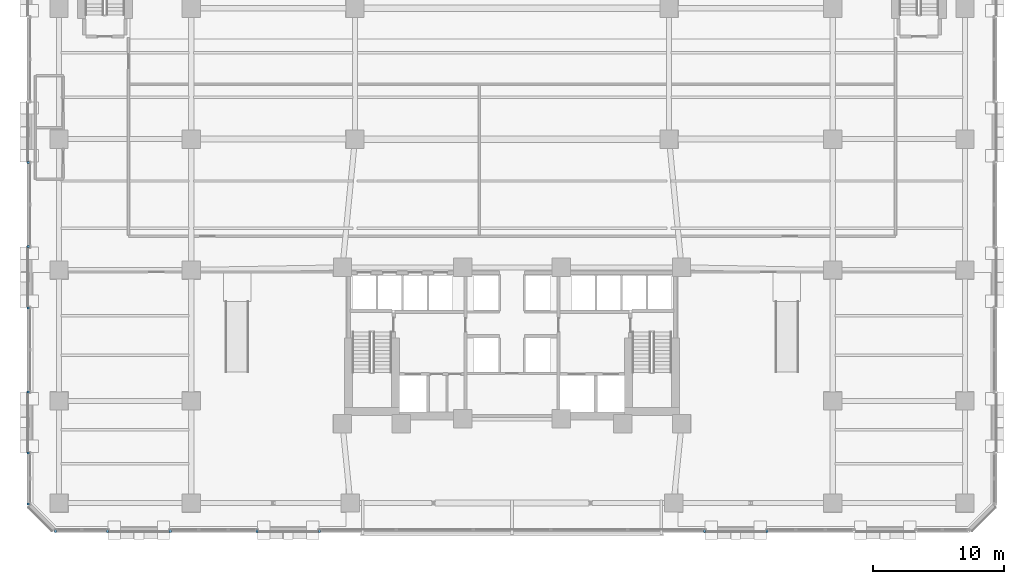
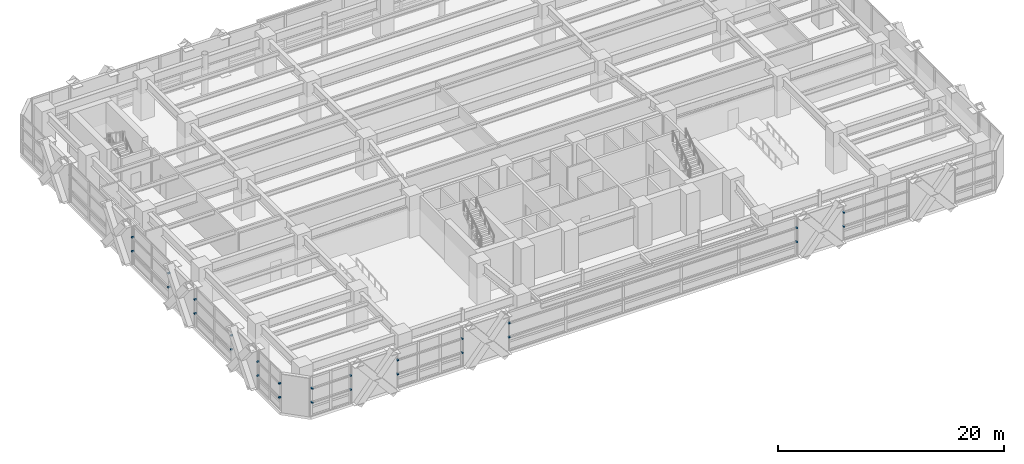
# One storey, part 20 of 30: 26 discrete accessories.
"""IFC4 building model written with IfcOpenShell, lengths in metres."""

from ifc_helpers import new_model, si_unit, direction, frame, origin, origin_2d, place, context, subcontext, project, spatial, rectangle, extrude, material, type_object, element, save


model = new_model("IFC4")

# Units and contexts
model_context = context("Model", 3, precision=1e-05, world=origin(), true_north=direction((0.0, 1.0)))
body_context = subcontext(model_context, "Body", "Model", "MODEL_VIEW")
ifc_project = project(units=[si_unit("LENGTHUNIT", "METRE"), si_unit("AREAUNIT", "SQUARE_METRE"), si_unit("VOLUMEUNIT", "CUBIC_METRE"), si_unit("PLANEANGLEUNIT", "RADIAN"), si_unit("MASSUNIT", "GRAM", prefix="KILO")], contexts=[model_context])

# Site, building, storey
site_placement = place(None, origin())
site = spatial("IfcSite", under=ifc_project, at=site_placement, CompositionType="ELEMENT")
building_placement = place(site_placement, origin())
building = spatial("IfcBuilding", under=site, at=building_placement, Name="Quenlor Broadcast Tower", CompositionType="ELEMENT")
storey_placement = place(building_placement, frame((0.0, 0.0, 9.5)))
storey = spatial("IfcBuildingStorey", under=building, at=storey_placement, Name="L02", CompositionType="ELEMENT", Elevation=9.5)

# Discrete accessories
ifc_material = material(Name="Aluminium 6063-T6", Category="aluminium")
discrete_accessory_type = type_object("IfcDiscreteAccessoryType", Name="Stainless Mullion Baguette Support Bracket", PredefinedType="BRACKET", material=ifc_material)
for number, where, z_axis, x_axis, name in (
    (1, (19.490478515625, -24.93994140625, 1.44189453125), (0.0, 0.0, 1.0), (-1.0, 0.0, 0.0), "L02 Baguette Mullion Bracket 1.2"),
    (2, (19.490478515625, -24.93994140625, 2.9541015625), (0.0, 0.0, 1.0), (-1.0, 0.0, 0.0), "L02 Baguette Mullion Bracket 2.2"),
    (3, (14.70947265625, -24.93994140625, 1.44189453125), (0.0, 0.0, 1.0), (-1.0, 0.0, 0.0), "L02 Baguette Mullion Bracket 1.1"),
    (4, (-14.70947265625, -24.93994140625, 1.44189453125), (0.0, 0.0, 1.0), (-1.0, 0.0, 0.0), "L02 Baguette Mullion Bracket 1.2"),
    (5, (14.70947265625, -24.93994140625, 2.9541015625), (0.0, 0.0, 1.0), (-1.0, 0.0, 0.0), "L02 Baguette Mullion Bracket 2.1"),
    (6, (-14.70947265625, -24.93994140625, 2.9541015625), (0.0, 0.0, 1.0), (-1.0, 0.0, 0.0), "L02 Baguette Mullion Bracket 2.2"),
    (7, (-19.490478515625, -24.93994140625, 1.44189453125), (0.0, 0.0, 1.0), (-1.0, 0.0, 0.0), "L02 Baguette Mullion Bracket 1.1"),
    (8, (-26.109619140625, -24.93994140625, 1.44189453125), (0.0, 0.0, 1.0), (-1.0, 0.0, 0.0), "L02 Baguette Mullion Bracket 1.2"),
    (9, (-19.490478515625, -24.93994140625, 2.9541015625), (0.0, 0.0, 1.0), (-1.0, 0.0, 0.0), "L02 Baguette Mullion Bracket 2.1"),
    (10, (-26.109619140625, -24.93994140625, 2.9541015625), (0.0, 0.0, 1.0), (-1.0, 0.0, 0.0), "L02 Baguette Mullion Bracket 2.2"),
    (11, (-30.890380859375, -24.93994140625, 1.44189453125), (0.0, 0.0, 1.0), (-1.0, 0.0, 0.0), "L02 Baguette Mullion Bracket 1.1"),
    (12, (-34.85888671875, -24.93994140625, 1.44189453125), (0.0, 0.0, 1.0), (-1.0, 0.0, 0.0), "L02 Baguette Mullion Bracket 1.2"),
    (13, (-30.890380859375, -24.93994140625, 2.9541015625), (0.0, 0.0, 1.0), (-1.0, 0.0, 0.0), "L02 Baguette Mullion Bracket 2.1"),
    (14, (-34.85888671875, -24.93994140625, 2.9541015625), (0.0, 0.0, 1.0), (-1.0, 0.0, 0.0), "L02 Baguette Mullion Bracket 2.2"),
    (15, (-36.93994140625, -22.85888671875, 1.44189453125), (0.0, 0.0, 1.0), (0.0, 1.0, 0.0), "L02 Baguette Mullion Bracket 1.1"),
    (16, (-36.93994140625, -18.99365234375, 1.44189453125), (0.0, 0.0, 1.0), (0.0, 1.0, 0.0), "L02 Baguette Mullion Bracket 1.2"),
    (17, (-36.93994140625, -22.85888671875, 2.9541015625), (0.0, 0.0, 1.0), (0.0, 1.0, 0.0), "L02 Baguette Mullion Bracket 2.1"),
    (18, (-36.93994140625, -18.99365234375, 2.9541015625), (0.0, 0.0, 1.0), (0.0, 1.0, 0.0), "L02 Baguette Mullion Bracket 2.2"),
    (19, (-36.93994140625, -14.306396484375, 1.44189453125), (0.0, 0.0, 1.0), (0.0, 1.0, 0.0), "L02 Baguette Mullion Bracket 1.1"),
    (20, (-36.93994140625, -7.893798828125, 1.44189453125), (0.0, 0.0, 1.0), (0.0, 1.0, 0.0), "L02 Baguette Mullion Bracket 1.2"),
    (21, (-36.93994140625, -14.306396484375, 2.9541015625), (0.0, 0.0, 1.0), (0.0, 1.0, 0.0), "L02 Baguette Mullion Bracket 2.1"),
    (22, (-36.93994140625, -7.893798828125, 2.9541015625), (0.0, 0.0, 1.0), (0.0, 1.0, 0.0), "L02 Baguette Mullion Bracket 2.2"),
    (23, (-36.93994140625, -3.206298828125, 1.44189453125), (0.0, 0.0, 1.0), (0.0, 1.0, 0.0), "L02 Baguette Mullion Bracket 1.1"),
    (24, (-36.93994140625, 3.206298828125, 1.44189453125), (0.0, 0.0, 1.0), (0.0, 1.0, 0.0), "L02 Baguette Mullion Bracket 1.2"),
    (25, (-36.93994140625, -3.206298828125, 2.9541015625), (0.0, 0.0, 1.0), (0.0, 1.0, 0.0), "L02 Baguette Mullion Bracket 2.1"),
    (26, (-36.93994140625, 3.206298828125, 2.9541015625), (0.0, 0.0, 1.0), (0.0, 1.0, 0.0), "L02 Baguette Mullion Bracket 2.2"),
):
    element("IfcDiscreteAccessory", number, at=place(storey_placement, frame(where, z_axis=z_axis, x_axis=x_axis)), inside=storey, type_object=discrete_accessory_type, Name=name, PredefinedType="BRACKET", context=body_context, shape_type="SweptSolid", body=[
        extrude(rectangle(XDim=0.159912109375, YDim=0.239990234375, at=origin_2d()), origin(), (0.0, 0.0, 1.0), 0.139892578125),
    ])

save(model, "model.ifc")
